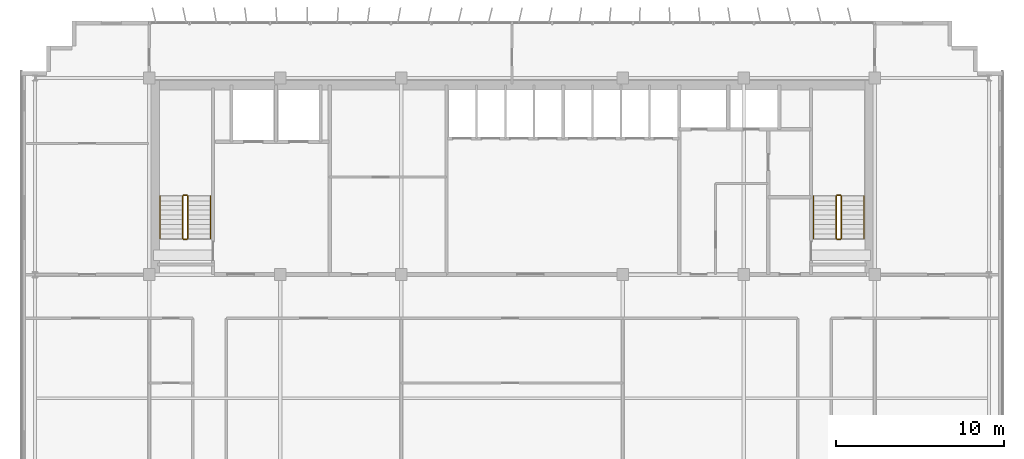
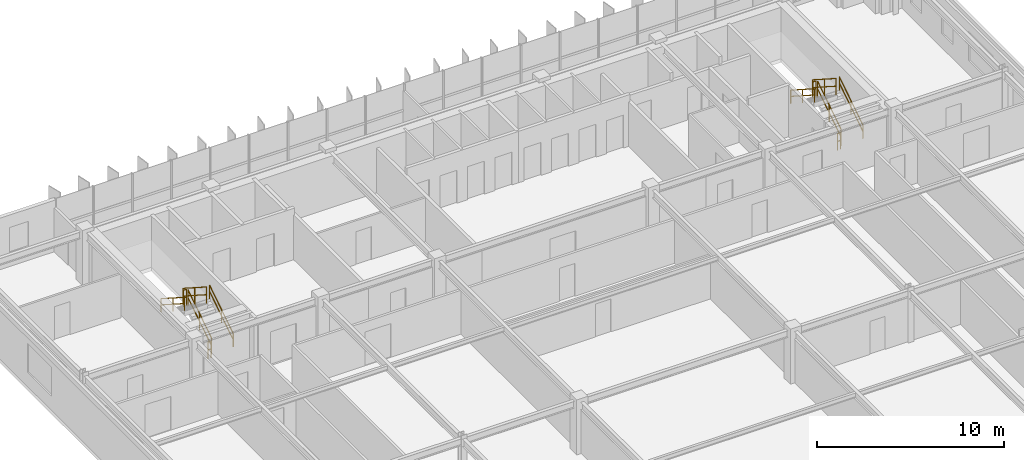
# One storey, part 19 of 19: 12 railings.
"""IFC4 building model written with IfcOpenShell, lengths in metres."""

from ifc_helpers import new_model, si_unit, direction, frame, origin, origin_2d, place, context, subcontext, project, spatial, rectangle, extrude, material, type_object, element, save


model = new_model("IFC4")

# Units and contexts
model_context = context("Model", 3, precision=1e-05, world=origin(), true_north=direction((0.0, 1.0)))
body_context = subcontext(model_context, "Body", "Model", "MODEL_VIEW")
ifc_project = project(units=[si_unit("LENGTHUNIT", "METRE"), si_unit("AREAUNIT", "SQUARE_METRE"), si_unit("VOLUMEUNIT", "CUBIC_METRE"), si_unit("PLANEANGLEUNIT", "RADIAN"), si_unit("MASSUNIT", "GRAM", prefix="KILO")], contexts=[model_context])

# Site, building, storey
site_placement = place(None, origin())
site = spatial("IfcSite", under=ifc_project, at=site_placement, CompositionType="ELEMENT")
building_placement = place(site_placement, origin())
building = spatial("IfcBuilding", under=site, at=building_placement, Name="Trelvane Seafront Commons", CompositionType="ELEMENT")
storey_placement = place(building_placement, frame((0.0, 0.0, 215.699951171875)))
storey = spatial("IfcBuildingStorey", under=building, at=storey_placement, Name="L56", CompositionType="ELEMENT", Elevation=215.699951171875)

# Railings
ifc_material = material(Name="Stainless steel balustrade", Category="steel")
railing_type_1 = type_object("IfcRailingType", Name="ARCH-SRL-GUARD", PredefinedType="GUARDRAIL", material=ifc_material)
railing_1_placement = place(storey_placement, frame((17.89990234375, 35.550048828125, 0.179931640625)))
element("IfcRailing", 1, at=railing_1_placement, inside=storey, type_object=railing_type_1, Name="L56 ST-1 stair guard 1", PredefinedType="GUARDRAIL", context=body_context, shape_type="SweptSolid", body=[
    extrude(rectangle(XDim=0.048095703125, YDim=0.048095703125, at=origin_2d()), frame((0.0, 0.0, 1.076171875), z_axis=(0.0, 0.841162588446, 0.540782303519), x_axis=(-1.0, 0.0, 0.0)), (0.0, 0.0, 1.0), 2.995849609375),
    extrude(rectangle(XDim=0.048095703125, YDim=0.048095703125, at=origin_2d()), frame((0.0, 0.0, 0.572021484375), z_axis=(0.0, 0.841162588446, 0.540782303519), x_axis=(-1.0, 0.0, 0.0)), (0.0, 0.0, 1.0), 2.995849609375),
    extrude(rectangle(XDim=0.0419921875, YDim=0.0419921875, at=origin_2d()), origin(), (0.0, 0.0, 1.0), 1.076171875),
    extrude(rectangle(XDim=0.0419921875, YDim=0.0419921875, at=origin_2d()), frame((0.0, 1.260009765625, 0.81005859375)), (0.0, 0.0, 1.0), 1.076171875),
    extrude(rectangle(XDim=0.0419921875, YDim=0.0419921875, at=origin_2d()), frame((0.0, 2.52001953125, 1.6201171875)), (0.0, 0.0, 1.0), 1.076171875),
])
railing_2_placement = place(storey_placement, frame((17.85009765625, 38.1201171875, 1.800048828125)))
element("IfcRailing", 2, at=railing_2_placement, inside=storey, type_object=railing_type_1, Name="L56 ST-1 stair guard 2", PredefinedType="GUARDRAIL", context=body_context, shape_type="SweptSolid", body=[
    extrude(rectangle(XDim=0.048095703125, YDim=0.048095703125, at=origin_2d()), frame((0.0, 0.0, 1.076171875), z_axis=(-1.0, 0.0, 0.0), x_axis=(0.0, -1.0, 0.0)), (0.0, 0.0, 1.0), 0.2001953125),
    extrude(rectangle(XDim=0.048095703125, YDim=0.048095703125, at=origin_2d()), frame((0.0, 0.0, 0.572021484375), z_axis=(-1.0, 0.0, 0.0), x_axis=(0.0, -1.0, 0.0)), (0.0, 0.0, 1.0), 0.2001953125),
    extrude(rectangle(XDim=0.0419921875, YDim=0.0419921875, at=origin_2d()), origin(), (0.0, 0.0, 1.0), 1.076171875),
    extrude(rectangle(XDim=0.0419921875, YDim=0.0419921875, at=origin_2d()), frame((-0.2001953125, 0.0, 0.0)), (0.0, 0.0, 1.0), 1.076171875),
])
railing_3_placement = place(storey_placement, frame((17.60009765625, 38.070068359375, 1.97998046875)))
element("IfcRailing", 3, at=railing_3_placement, inside=storey, type_object=railing_type_1, Name="L56 ST-1 stair guard 3", PredefinedType="GUARDRAIL", context=body_context, shape_type="SweptSolid", body=[
    extrude(rectangle(XDim=0.048095703125, YDim=0.048095703125, at=origin_2d()), frame((0.0, 0.0, 1.076171875), z_axis=(0.0, -0.841162588446, 0.540782303519), x_axis=(1.0, 0.0, 0.0)), (0.0, 0.0, 1.0), 2.995849609375),
    extrude(rectangle(XDim=0.048095703125, YDim=0.048095703125, at=origin_2d()), frame((0.0, 0.0, 0.572021484375), z_axis=(0.0, -0.841162588446, 0.540782303519), x_axis=(1.0, 0.0, 0.0)), (0.0, 0.0, 1.0), 2.995849609375),
    extrude(rectangle(XDim=0.0419921875, YDim=0.0419921875, at=origin_2d()), origin(), (0.0, 0.0, 1.0), 1.076171875),
    extrude(rectangle(XDim=0.0419921875, YDim=0.0419921875, at=origin_2d()), frame((0.0, -1.260009765625, 0.81005859375)), (0.0, 0.0, 1.0), 1.076171875),
    extrude(rectangle(XDim=0.0419921875, YDim=0.0419921875, at=origin_2d()), frame((0.0, -2.52001953125, 1.6201171875)), (0.0, 0.0, 1.0), 1.076171875),
])
railing_4_placement = place(storey_placement, frame((17.85009765625, 35.5, 0.0)))
element("IfcRailing", 4, at=railing_4_placement, inside=storey, type_object=railing_type_1, Name="L56 ST-1 stair guard 4", PredefinedType="GUARDRAIL", context=body_context, shape_type="SweptSolid", body=[
    extrude(rectangle(XDim=0.048095703125, YDim=0.048095703125, at=origin_2d()), frame((0.0, 0.0, 1.076171875), z_axis=(-1.0, 0.0, 0.0), x_axis=(0.0, -1.0, 0.0)), (0.0, 0.0, 1.0), 0.2001953125),
    extrude(rectangle(XDim=0.048095703125, YDim=0.048095703125, at=origin_2d()), frame((0.0, 0.0, 0.572021484375), z_axis=(-1.0, 0.0, 0.0), x_axis=(0.0, -1.0, 0.0)), (0.0, 0.0, 1.0), 0.2001953125),
    extrude(rectangle(XDim=0.0419921875, YDim=0.0419921875, at=origin_2d()), origin(), (0.0, 0.0, 1.0), 1.076171875),
    extrude(rectangle(XDim=0.0419921875, YDim=0.0419921875, at=origin_2d()), frame((-0.2001953125, 0.0, 0.0)), (0.0, 0.0, 1.0), 1.076171875),
])
railing_5_placement = place(storey_placement, frame((56.800048828125, 35.550048828125, 0.179931640625)))
element("IfcRailing", 5, at=railing_5_placement, inside=storey, type_object=railing_type_1, Name="L56 ST-2 stair guard 1", PredefinedType="GUARDRAIL", context=body_context, shape_type="SweptSolid", body=[
    extrude(rectangle(XDim=0.048095703125, YDim=0.048095703125, at=origin_2d()), frame((0.0, 0.0, 1.076171875), z_axis=(0.0, 0.841162588446, 0.540782303519), x_axis=(-1.0, 0.0, 0.0)), (0.0, 0.0, 1.0), 2.995849609375),
    extrude(rectangle(XDim=0.048095703125, YDim=0.048095703125, at=origin_2d()), frame((0.0, 0.0, 0.572021484375), z_axis=(0.0, 0.841162588446, 0.540782303519), x_axis=(-1.0, 0.0, 0.0)), (0.0, 0.0, 1.0), 2.995849609375),
    extrude(rectangle(XDim=0.0419921875, YDim=0.0419921875, at=origin_2d()), origin(), (0.0, 0.0, 1.0), 1.076171875),
    extrude(rectangle(XDim=0.0419921875, YDim=0.0419921875, at=origin_2d()), frame((0.0, 1.260009765625, 0.81005859375)), (0.0, 0.0, 1.0), 1.076171875),
    extrude(rectangle(XDim=0.0419921875, YDim=0.0419921875, at=origin_2d()), frame((0.0, 2.52001953125, 1.6201171875)), (0.0, 0.0, 1.0), 1.076171875),
])
railing_6_placement = place(storey_placement, frame((56.75, 38.1201171875, 1.800048828125)))
element("IfcRailing", 6, at=railing_6_placement, inside=storey, type_object=railing_type_1, Name="L56 ST-2 stair guard 2", PredefinedType="GUARDRAIL", context=body_context, shape_type="SweptSolid", body=[
    extrude(rectangle(XDim=0.048095703125, YDim=0.048095703125, at=origin_2d()), frame((0.0, 0.0, 1.076171875), z_axis=(-1.0, 0.0, 0.0), x_axis=(0.0, -1.0, 0.0)), (0.0, 0.0, 1.0), 0.199951171875),
    extrude(rectangle(XDim=0.048095703125, YDim=0.048095703125, at=origin_2d()), frame((0.0, 0.0, 0.572021484375), z_axis=(-1.0, 0.0, 0.0), x_axis=(0.0, -1.0, 0.0)), (0.0, 0.0, 1.0), 0.199951171875),
    extrude(rectangle(XDim=0.0419921875, YDim=0.0419921875, at=origin_2d()), origin(), (0.0, 0.0, 1.0), 1.076171875),
    extrude(rectangle(XDim=0.0419921875, YDim=0.0419921875, at=origin_2d()), frame((-0.199951171875, 0.0, 0.0)), (0.0, 0.0, 1.0), 1.076171875),
])
railing_7_placement = place(storey_placement, frame((56.5, 38.070068359375, 1.97998046875)))
element("IfcRailing", 7, at=railing_7_placement, inside=storey, type_object=railing_type_1, Name="L56 ST-2 stair guard 3", PredefinedType="GUARDRAIL", context=body_context, shape_type="SweptSolid", body=[
    extrude(rectangle(XDim=0.048095703125, YDim=0.048095703125, at=origin_2d()), frame((0.0, 0.0, 1.076171875), z_axis=(0.0, -0.841162588446, 0.540782303519), x_axis=(1.0, 0.0, 0.0)), (0.0, 0.0, 1.0), 2.995849609375),
    extrude(rectangle(XDim=0.048095703125, YDim=0.048095703125, at=origin_2d()), frame((0.0, 0.0, 0.572021484375), z_axis=(0.0, -0.841162588446, 0.540782303519), x_axis=(1.0, 0.0, 0.0)), (0.0, 0.0, 1.0), 2.995849609375),
    extrude(rectangle(XDim=0.0419921875, YDim=0.0419921875, at=origin_2d()), origin(), (0.0, 0.0, 1.0), 1.076171875),
    extrude(rectangle(XDim=0.0419921875, YDim=0.0419921875, at=origin_2d()), frame((0.0, -1.260009765625, 0.81005859375)), (0.0, 0.0, 1.0), 1.076171875),
    extrude(rectangle(XDim=0.0419921875, YDim=0.0419921875, at=origin_2d()), frame((0.0, -2.52001953125, 1.6201171875)), (0.0, 0.0, 1.0), 1.076171875),
])
railing_8_placement = place(storey_placement, frame((56.75, 35.5, 0.0)))
element("IfcRailing", 8, at=railing_8_placement, inside=storey, type_object=railing_type_1, Name="L56 ST-2 stair guard 4", PredefinedType="GUARDRAIL", context=body_context, shape_type="SweptSolid", body=[
    extrude(rectangle(XDim=0.048095703125, YDim=0.048095703125, at=origin_2d()), frame((0.0, 0.0, 1.076171875), z_axis=(-1.0, 0.0, 0.0), x_axis=(0.0, -1.0, 0.0)), (0.0, 0.0, 1.0), 0.199951171875),
    extrude(rectangle(XDim=0.048095703125, YDim=0.048095703125, at=origin_2d()), frame((0.0, 0.0, 0.572021484375), z_axis=(-1.0, 0.0, 0.0), x_axis=(0.0, -1.0, 0.0)), (0.0, 0.0, 1.0), 0.199951171875),
    extrude(rectangle(XDim=0.0419921875, YDim=0.0419921875, at=origin_2d()), origin(), (0.0, 0.0, 1.0), 1.076171875),
    extrude(rectangle(XDim=0.0419921875, YDim=0.0419921875, at=origin_2d()), frame((-0.199951171875, 0.0, 0.0)), (0.0, 0.0, 1.0), 1.076171875),
])
railing_type_2 = type_object("IfcRailingType", Name="ARCH-SRL-HAND", PredefinedType="HANDRAIL", material=ifc_material)
railing_9_placement = place(storey_placement, frame((19.25, 35.550048828125, 0.179931640625)))
element("IfcRailing", 9, at=railing_9_placement, inside=storey, type_object=railing_type_2, Name="L56 ST-1 stair handrail 1", PredefinedType="HANDRAIL", context=body_context, shape_type="SweptSolid", body=[
    extrude(rectangle(XDim=0.048095703125, YDim=0.048095703125, at=origin_2d()), frame((0.0, 0.0, 0.8759765625), z_axis=(0.0, 0.841162588446, 0.540782303519), x_axis=(-1.0, 0.0, 0.0)), (0.0, 0.0, 1.0), 2.995849609375),
    extrude(rectangle(XDim=0.048095703125, YDim=0.048095703125, at=origin_2d()), frame((0.0, 0.0, 0.468017578125), z_axis=(0.0, 0.841162588446, 0.540782303519), x_axis=(-1.0, 0.0, 0.0)), (0.0, 0.0, 1.0), 2.995849609375),
    extrude(rectangle(XDim=0.0419921875, YDim=0.0419921875, at=origin_2d()), origin(), (0.0, 0.0, 1.0), 0.8759765625),
    extrude(rectangle(XDim=0.0419921875, YDim=0.0419921875, at=origin_2d()), frame((0.0, 1.260009765625, 0.81005859375)), (0.0, 0.0, 1.0), 0.8759765625),
    extrude(rectangle(XDim=0.0419921875, YDim=0.0419921875, at=origin_2d()), frame((0.0, 2.52001953125, 1.6201171875)), (0.0, 0.0, 1.0), 0.8759765625),
])
railing_10_placement = place(storey_placement, frame((16.25, 38.070068359375, 1.97998046875)))
element("IfcRailing", 10, at=railing_10_placement, inside=storey, type_object=railing_type_2, Name="L56 ST-1 stair handrail 2", PredefinedType="HANDRAIL", context=body_context, shape_type="SweptSolid", body=[
    extrude(rectangle(XDim=0.048095703125, YDim=0.048095703125, at=origin_2d()), frame((0.0, 0.0, 0.8759765625), z_axis=(0.0, -0.841162588446, 0.540782303519), x_axis=(1.0, 0.0, 0.0)), (0.0, 0.0, 1.0), 2.995849609375),
    extrude(rectangle(XDim=0.048095703125, YDim=0.048095703125, at=origin_2d()), frame((0.0, 0.0, 0.468017578125), z_axis=(0.0, -0.841162588446, 0.540782303519), x_axis=(1.0, 0.0, 0.0)), (0.0, 0.0, 1.0), 2.995849609375),
    extrude(rectangle(XDim=0.0419921875, YDim=0.0419921875, at=origin_2d()), origin(), (0.0, 0.0, 1.0), 0.8759765625),
    extrude(rectangle(XDim=0.0419921875, YDim=0.0419921875, at=origin_2d()), frame((0.0, -1.260009765625, 0.81005859375)), (0.0, 0.0, 1.0), 0.8759765625),
    extrude(rectangle(XDim=0.0419921875, YDim=0.0419921875, at=origin_2d()), frame((0.0, -2.52001953125, 1.6201171875)), (0.0, 0.0, 1.0), 0.8759765625),
])
railing_11_placement = place(storey_placement, frame((58.14990234375, 35.550048828125, 0.179931640625)))
element("IfcRailing", 11, at=railing_11_placement, inside=storey, type_object=railing_type_2, Name="L56 ST-2 stair handrail 1", PredefinedType="HANDRAIL", context=body_context, shape_type="SweptSolid", body=[
    extrude(rectangle(XDim=0.048095703125, YDim=0.048095703125, at=origin_2d()), frame((0.0, 0.0, 0.8759765625), z_axis=(0.0, 0.841162588446, 0.540782303519), x_axis=(-1.0, 0.0, 0.0)), (0.0, 0.0, 1.0), 2.995849609375),
    extrude(rectangle(XDim=0.048095703125, YDim=0.048095703125, at=origin_2d()), frame((0.0, 0.0, 0.468017578125), z_axis=(0.0, 0.841162588446, 0.540782303519), x_axis=(-1.0, 0.0, 0.0)), (0.0, 0.0, 1.0), 2.995849609375),
    extrude(rectangle(XDim=0.0419921875, YDim=0.0419921875, at=origin_2d()), origin(), (0.0, 0.0, 1.0), 0.8759765625),
    extrude(rectangle(XDim=0.0419921875, YDim=0.0419921875, at=origin_2d()), frame((0.0, 1.260009765625, 0.81005859375)), (0.0, 0.0, 1.0), 0.8759765625),
    extrude(rectangle(XDim=0.0419921875, YDim=0.0419921875, at=origin_2d()), frame((0.0, 2.52001953125, 1.6201171875)), (0.0, 0.0, 1.0), 0.8759765625),
])
railing_12_placement = place(storey_placement, frame((55.14990234375, 38.070068359375, 1.97998046875)))
element("IfcRailing", 12, at=railing_12_placement, inside=storey, type_object=railing_type_2, Name="L56 ST-2 stair handrail 2", PredefinedType="HANDRAIL", context=body_context, shape_type="SweptSolid", body=[
    extrude(rectangle(XDim=0.048095703125, YDim=0.048095703125, at=origin_2d()), frame((0.0, 0.0, 0.8759765625), z_axis=(0.0, -0.841162588446, 0.540782303519), x_axis=(1.0, 0.0, 0.0)), (0.0, 0.0, 1.0), 2.995849609375),
    extrude(rectangle(XDim=0.048095703125, YDim=0.048095703125, at=origin_2d()), frame((0.0, 0.0, 0.468017578125), z_axis=(0.0, -0.841162588446, 0.540782303519), x_axis=(1.0, 0.0, 0.0)), (0.0, 0.0, 1.0), 2.995849609375),
    extrude(rectangle(XDim=0.0419921875, YDim=0.0419921875, at=origin_2d()), origin(), (0.0, 0.0, 1.0), 0.8759765625),
    extrude(rectangle(XDim=0.0419921875, YDim=0.0419921875, at=origin_2d()), frame((0.0, -1.260009765625, 0.81005859375)), (0.0, 0.0, 1.0), 0.8759765625),
    extrude(rectangle(XDim=0.0419921875, YDim=0.0419921875, at=origin_2d()), frame((0.0, -2.52001953125, 1.6201171875)), (0.0, 0.0, 1.0), 0.8759765625),
])

save(model, "model.ifc")
